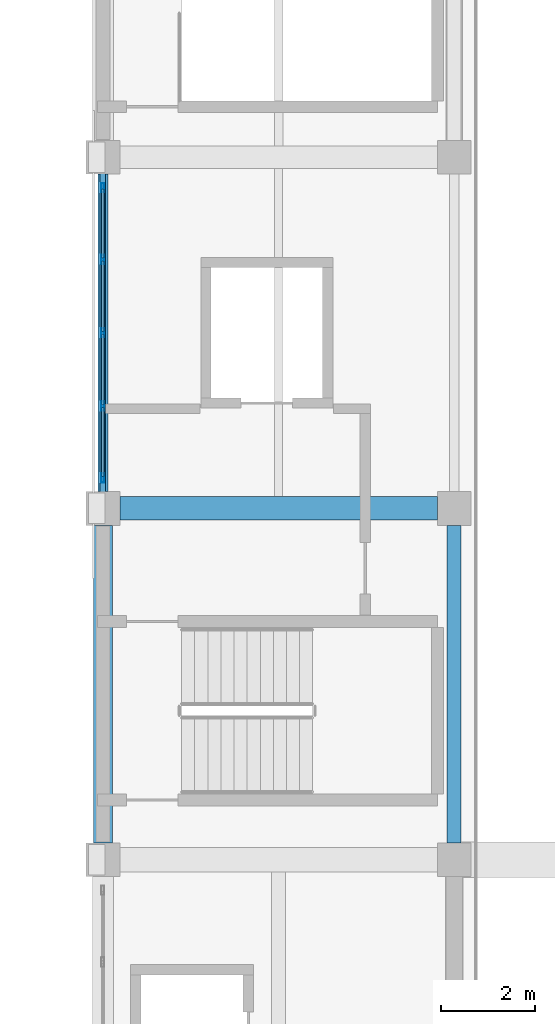
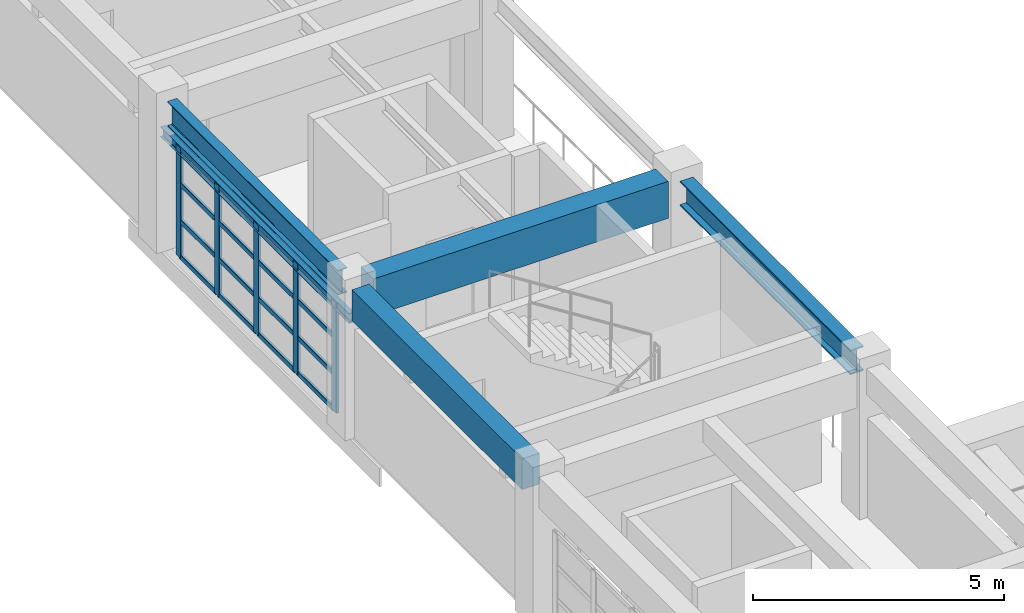
# One storey, part 38 of 101: 21 members, 5 beams, 1 element without a shape of its own.
"""IFC4 building model written with IfcOpenShell, lengths in metres."""

from ifc_helpers import new_model, si_unit, direction, frame, origin, origin_2d, place, context, subcontext, project, spatial, rectangle, hollow_rectangle, i_section, extrude, material, material_profile, profile_set, type_object, element, aggregate, save


model = new_model("IFC4")

# Units and contexts
model_context = context("Model", 3, precision=1e-05, world=origin(), true_north=direction((0.0, 1.0)))
body_context = subcontext(model_context, "Body", "Model", "MODEL_VIEW")
ifc_project = project(units=[si_unit("LENGTHUNIT", "METRE"), si_unit("AREAUNIT", "SQUARE_METRE"), si_unit("VOLUMEUNIT", "CUBIC_METRE"), si_unit("PLANEANGLEUNIT", "RADIAN"), si_unit("MASSUNIT", "GRAM", prefix="KILO")], contexts=[model_context])

# Site, building, storey
site_placement = place(None, origin())
site = spatial("IfcSite", under=ifc_project, at=site_placement, CompositionType="ELEMENT")
building_placement = place(site_placement, origin())
building = spatial("IfcBuilding", under=site, at=building_placement, Name="Qasida Concert Hall", CompositionType="ELEMENT")
storey_placement = place(building_placement, frame((0.0, 0.0, 13.199951171875)))
storey = spatial("IfcBuildingStorey", under=building, at=storey_placement, Name="L03", CompositionType="ELEMENT", Elevation=13.199951171875)

# Beams
ifc_material_1 = material(Name="Steel S355J2", Category="steel")
ifc_material_profile_1 = material_profile(ifc_material_1, i_section(OverallWidth=0.300048828125, OverallDepth=0.60009765625, WebThickness=0.015380859375, FlangeThickness=0.030029296875, FilletRadius=0.027099609375, at=origin_2d()), Name="HEB 600")
ifc_profile_set_1 = profile_set([ifc_material_profile_1], Name="Steel S355J2")
beam_type_1 = type_object("IfcBeamType", Name="BM-B6", PredefinedType="BEAM", material=ifc_profile_set_1)
beam_1_placement = place(storey_placement, frame((60.0, 45.360107421875, 3.320068359375), z_axis=(0.0, 1.0, 0.0), x_axis=(-1.0, 0.0, 0.0)))
element("IfcBeam", 1, at=beam_1_placement, inside=storey, type_object=beam_type_1, Name="L03 girder 1551", PredefinedType="BEAM", context=body_context, shape_type="SweptSolid", body=[
    extrude(i_section(OverallWidth=0.300048828125, OverallDepth=0.60009765625, WebThickness=0.015380859375, FlangeThickness=0.030029296875, FilletRadius=0.027099609375, at=origin_2d()), origin(), (0.0, 0.0, 1.0), 6.77978515625),
])
ifc_material_2 = material(Name="Concrete C40/50", Category="concrete")
ifc_material_profile_2 = material_profile(ifc_material_2, rectangle(XDim=0.5, YDim=0.89990234375, at=origin_2d()), Name="RC 500x900")
ifc_profile_set_2 = profile_set([ifc_material_profile_2], Name="Concrete C40/50")
beam_type_2 = type_object("IfcBeamType", Name="BM-G1", PredefinedType="USERDEFINED", material=ifc_profile_set_2)
beam_2_placement = place(storey_placement, frame((52.860107421875, 52.5, 3.170166015625), z_axis=(1.0, 0.0, 0.0), x_axis=(0.0, 1.0, 0.0)))
element("IfcBeam", 2, at=beam_2_placement, inside=storey, type_object=beam_type_2, Name="Primary girder 1524", ObjectType="GIRDER", PredefinedType="USERDEFINED", context=body_context, shape_type="SweptSolid", body=[
    extrude(rectangle(XDim=0.5, YDim=0.89990234375, at=origin_2d()), origin(), (0.0, 0.0, 1.0), 6.77978515625),
])
ifc_material_profile_3 = material_profile(ifc_material_1, i_section(OverallWidth=0.1201171875, OverallDepth=0.239990234375, WebThickness=0.006103515625, FlangeThickness=0.009765625, FilletRadius=0.014892578125, at=origin_2d()), Name="IPE 240")
ifc_profile_set_3 = profile_set([ifc_material_profile_3], Name="Steel S355J2")
beam_type_3 = type_object("IfcBeamType", Name="BM-LN2", PredefinedType="LINTEL", material=ifc_profile_set_3)
beam_3_placement = place(storey_placement, frame((52.5, 52.5, 2.650146484375), z_axis=(0.0, 1.0, 0.0), x_axis=(-1.0, 0.0, 0.0)))
element("IfcBeam", 3, at=beam_3_placement, inside=storey, type_object=beam_type_3, Name="L03 portal lintel beam 014", PredefinedType="LINTEL", context=body_context, shape_type="SweptSolid", body=[
    extrude(i_section(OverallWidth=0.1201171875, OverallDepth=0.239990234375, WebThickness=0.006103515625, FlangeThickness=0.009765625, FilletRadius=0.014892578125, at=origin_2d()), origin(), (0.0, 0.0, 1.0), 7.5),
])
ifc_material_profile_4 = material_profile(ifc_material_2, rectangle(XDim=0.39990234375, YDim=0.75, at=origin_2d()), Name="RC 400x750")
ifc_profile_set_4 = profile_set([ifc_material_profile_4], Name="Concrete C40/50")
beam_type_4 = type_object("IfcBeamType", Name="BM-SP1", PredefinedType="SPANDREL", material=ifc_profile_set_4)
beam_4_placement = place(storey_placement, frame((52.5, 45.360107421875, 3.2451171875), z_axis=(0.0, 1.0, 0.0), x_axis=(-1.0, 0.0, 0.0)))
element("IfcBeam", 4, at=beam_4_placement, inside=storey, type_object=beam_type_4, Name="L03 girder 1545", PredefinedType="SPANDREL", context=body_context, shape_type="SweptSolid", body=[
    extrude(rectangle(XDim=0.39990234375, YDim=0.75, at=origin_2d()), origin(), (0.0, 0.0, 1.0), 6.77978515625),
])
ifc_material_profile_5 = material_profile(ifc_material_1, i_section(OverallWidth=0.219970703125, OverallDepth=0.60009765625, WebThickness=0.011962890625, FlangeThickness=0.01904296875, FilletRadius=0.02392578125, at=origin_2d()), Name="IPE 600")
ifc_profile_set_5 = profile_set([ifc_material_profile_5], Name="Steel S355J2")
beam_type_5 = type_object("IfcBeamType", Name="BM-SP3", PredefinedType="SPANDREL", material=ifc_profile_set_5)
beam_5_placement = place(storey_placement, frame((52.5, 52.860107421875, 3.320068359375), z_axis=(0.0, 1.0, 0.0), x_axis=(-1.0, 0.0, 0.0)))
element("IfcBeam", 5, at=beam_5_placement, inside=storey, type_object=beam_type_5, Name="L03 girder 1546", PredefinedType="SPANDREL", context=body_context, shape_type="SweptSolid", body=[
    extrude(i_section(OverallWidth=0.219970703125, OverallDepth=0.60009765625, WebThickness=0.011962890625, FlangeThickness=0.01904296875, FilletRadius=0.02392578125, at=origin_2d()), origin(), (0.0, 0.0, 1.0), 6.77978515625),
])

# Curtain wall, members
ifc_material_3 = material(Name="Architectural bronze-anodized aluminium and low-E glass", Category="aluminium")
curtain_wall_type = type_object("IfcCurtainWallType", Name="CW-04", PredefinedType="NOTDEFINED", material=ifc_material_3)
curtain_wall_placement = place(storey_placement, origin())
curtain_wall = element("IfcCurtainWall", 6, at=curtain_wall_placement, inside=storey, type_object=curtain_wall_type, Name="L03 curtain wall CW-04 0054", PredefinedType="NOTDEFINED")
ifc_material_4 = material(Name="Architectural bronze-anodized aluminium EN AW-6063", Category="aluminium")
ifc_material_profile_6 = material_profile(ifc_material_4, hollow_rectangle(XDim=0.06494140625, YDim=0.199951171875, WallThickness=0.0048828125, InnerFilletRadius=0.0048828125, OuterFilletRadius=0.010009765625, at=origin_2d()), Name="CWM 200x65x5")
ifc_profile_set_6 = profile_set([ifc_material_profile_6], Name="Architectural bronze-anodized aluminium EN AW-6063")
member_type_1 = type_object("IfcMemberType", Name="MB-CWM-2", PredefinedType="MULLION", material=ifc_profile_set_6)
member_1_placement = place(storey_placement, frame((52.5, 53.152587890625, 0.0), z_axis=(0.0, 0.0, 1.0), x_axis=(-1.0, 0.0, 0.0)))
member_1 = element("IfcMember", 7, at=member_1_placement, type_object=member_type_1, Name="CW-04 mullion 1", PredefinedType="MULLION", context=body_context, shape_type="SweptSolid", body=[
    extrude(hollow_rectangle(XDim=0.06494140625, YDim=0.199951171875, WallThickness=0.0048828125, InnerFilletRadius=0.0048828125, OuterFilletRadius=0.010009765625, at=origin_2d()), origin(), (0.0, 0.0, 1.0), 2.68994140625),
])
member_2_placement = place(storey_placement, frame((52.5, 54.68505859375, 0.0), z_axis=(0.0, 0.0, 1.0), x_axis=(-1.0, 0.0, 0.0)))
member_2 = element("IfcMember", 8, at=member_2_placement, type_object=member_type_1, Name="CW-04 mullion 2", PredefinedType="MULLION", context=body_context, shape_type="SweptSolid", body=[
    extrude(hollow_rectangle(XDim=0.06494140625, YDim=0.199951171875, WallThickness=0.0048828125, InnerFilletRadius=0.0048828125, OuterFilletRadius=0.010009765625, at=origin_2d()), origin(), (0.0, 0.0, 1.0), 2.68994140625),
])
member_3_placement = place(storey_placement, frame((52.5, 56.25, 0.0), z_axis=(0.0, 0.0, 1.0), x_axis=(-1.0, 0.0, 0.0)))
member_3 = element("IfcMember", 9, at=member_3_placement, type_object=member_type_1, Name="CW-04 mullion 3", PredefinedType="MULLION", context=body_context, shape_type="SweptSolid", body=[
    extrude(hollow_rectangle(XDim=0.06494140625, YDim=0.199951171875, WallThickness=0.0048828125, InnerFilletRadius=0.0048828125, OuterFilletRadius=0.010009765625, at=origin_2d()), origin(), (0.0, 0.0, 1.0), 2.68994140625),
])
member_4_placement = place(storey_placement, frame((52.5, 57.81494140625, 0.0), z_axis=(0.0, 0.0, 1.0), x_axis=(-1.0, 0.0, 0.0)))
member_4 = element("IfcMember", 10, at=member_4_placement, type_object=member_type_1, Name="CW-04 mullion 4", PredefinedType="MULLION", context=body_context, shape_type="SweptSolid", body=[
    extrude(hollow_rectangle(XDim=0.06494140625, YDim=0.199951171875, WallThickness=0.0048828125, InnerFilletRadius=0.0048828125, OuterFilletRadius=0.010009765625, at=origin_2d()), origin(), (0.0, 0.0, 1.0), 2.68994140625),
])
member_5_placement = place(storey_placement, frame((52.5, 59.347412109375, 0.0), z_axis=(0.0, 0.0, 1.0), x_axis=(-1.0, 0.0, 0.0)))
member_5 = element("IfcMember", 11, at=member_5_placement, type_object=member_type_1, Name="CW-04 mullion 5", PredefinedType="MULLION", context=body_context, shape_type="SweptSolid", body=[
    extrude(hollow_rectangle(XDim=0.06494140625, YDim=0.199951171875, WallThickness=0.0048828125, InnerFilletRadius=0.0048828125, OuterFilletRadius=0.010009765625, at=origin_2d()), origin(), (0.0, 0.0, 1.0), 2.68994140625),
])
ifc_material_profile_7 = material_profile(ifc_material_4, hollow_rectangle(XDim=0.06005859375, YDim=0.1201171875, WallThickness=0.00390625, InnerFilletRadius=0.00390625, OuterFilletRadius=0.008056640625, at=origin_2d()), Name="CWT 120x60x4")
ifc_profile_set_7 = profile_set([ifc_material_profile_7], Name="Architectural bronze-anodized aluminium EN AW-6063")
member_type_2 = type_object("IfcMemberType", Name="MB-CWT-2", PredefinedType="USERDEFINED", material=ifc_profile_set_7)
member_6_placement = place(storey_placement, frame((52.5, 53.18505859375, 0.030029296875), z_axis=(0.0, 1.0, 0.0), x_axis=(-1.0, 0.0, 0.0)))
member_6 = element("IfcMember", 12, at=member_6_placement, type_object=member_type_2, Name="CW-04 transom 1.1", ObjectType="TRANSOM", PredefinedType="USERDEFINED", context=body_context, shape_type="SweptSolid", body=[
    extrude(hollow_rectangle(XDim=0.06005859375, YDim=0.1201171875, WallThickness=0.00390625, InnerFilletRadius=0.00390625, OuterFilletRadius=0.008056640625, at=origin_2d()), origin(), (0.0, 0.0, 1.0), 1.467529296875),
])
member_7_placement = place(storey_placement, frame((52.5, 53.18505859375, 0.896728515625), z_axis=(0.0, 1.0, 0.0), x_axis=(-1.0, 0.0, 0.0)))
member_7 = element("IfcMember", 13, at=member_7_placement, type_object=member_type_2, Name="CW-04 transom 1.2", ObjectType="TRANSOM", PredefinedType="USERDEFINED", context=body_context, shape_type="SweptSolid", body=[
    extrude(hollow_rectangle(XDim=0.06005859375, YDim=0.1201171875, WallThickness=0.00390625, InnerFilletRadius=0.00390625, OuterFilletRadius=0.008056640625, at=origin_2d()), origin(), (0.0, 0.0, 1.0), 1.467529296875),
])
member_8_placement = place(storey_placement, frame((52.5, 53.18505859375, 1.79345703125), z_axis=(0.0, 1.0, 0.0), x_axis=(-1.0, 0.0, 0.0)))
member_8 = element("IfcMember", 14, at=member_8_placement, type_object=member_type_2, Name="CW-04 transom 1.3", ObjectType="TRANSOM", PredefinedType="USERDEFINED", context=body_context, shape_type="SweptSolid", body=[
    extrude(hollow_rectangle(XDim=0.06005859375, YDim=0.1201171875, WallThickness=0.00390625, InnerFilletRadius=0.00390625, OuterFilletRadius=0.008056640625, at=origin_2d()), origin(), (0.0, 0.0, 1.0), 1.467529296875),
])
member_9_placement = place(storey_placement, frame((52.5, 53.18505859375, 2.66015625), z_axis=(0.0, 1.0, 0.0), x_axis=(-1.0, 0.0, 0.0)))
member_9 = element("IfcMember", 15, at=member_9_placement, type_object=member_type_2, Name="CW-04 transom 1.4", ObjectType="TRANSOM", PredefinedType="USERDEFINED", context=body_context, shape_type="SweptSolid", body=[
    extrude(hollow_rectangle(XDim=0.06005859375, YDim=0.1201171875, WallThickness=0.00390625, InnerFilletRadius=0.00390625, OuterFilletRadius=0.008056640625, at=origin_2d()), origin(), (0.0, 0.0, 1.0), 1.467529296875),
])
member_10_placement = place(storey_placement, frame((52.5, 54.717529296875, 0.030029296875), z_axis=(0.0, 1.0, 0.0), x_axis=(-1.0, 0.0, 0.0)))
member_10 = element("IfcMember", 16, at=member_10_placement, type_object=member_type_2, Name="CW-04 transom 2.1", ObjectType="TRANSOM", PredefinedType="USERDEFINED", context=body_context, shape_type="SweptSolid", body=[
    extrude(hollow_rectangle(XDim=0.06005859375, YDim=0.1201171875, WallThickness=0.00390625, InnerFilletRadius=0.00390625, OuterFilletRadius=0.008056640625, at=origin_2d()), origin(), (0.0, 0.0, 1.0), 1.5),
])
member_11_placement = place(storey_placement, frame((52.5, 54.717529296875, 0.896728515625), z_axis=(0.0, 1.0, 0.0), x_axis=(-1.0, 0.0, 0.0)))
member_11 = element("IfcMember", 17, at=member_11_placement, type_object=member_type_2, Name="CW-04 transom 2.2", ObjectType="TRANSOM", PredefinedType="USERDEFINED", context=body_context, shape_type="SweptSolid", body=[
    extrude(hollow_rectangle(XDim=0.06005859375, YDim=0.1201171875, WallThickness=0.00390625, InnerFilletRadius=0.00390625, OuterFilletRadius=0.008056640625, at=origin_2d()), origin(), (0.0, 0.0, 1.0), 1.5),
])
member_12_placement = place(storey_placement, frame((52.5, 54.717529296875, 1.79345703125), z_axis=(0.0, 1.0, 0.0), x_axis=(-1.0, 0.0, 0.0)))
member_12 = element("IfcMember", 18, at=member_12_placement, type_object=member_type_2, Name="CW-04 transom 2.3", ObjectType="TRANSOM", PredefinedType="USERDEFINED", context=body_context, shape_type="SweptSolid", body=[
    extrude(hollow_rectangle(XDim=0.06005859375, YDim=0.1201171875, WallThickness=0.00390625, InnerFilletRadius=0.00390625, OuterFilletRadius=0.008056640625, at=origin_2d()), origin(), (0.0, 0.0, 1.0), 1.5),
])
member_13_placement = place(storey_placement, frame((52.5, 54.717529296875, 2.66015625), z_axis=(0.0, 1.0, 0.0), x_axis=(-1.0, 0.0, 0.0)))
member_13 = element("IfcMember", 19, at=member_13_placement, type_object=member_type_2, Name="CW-04 transom 2.4", ObjectType="TRANSOM", PredefinedType="USERDEFINED", context=body_context, shape_type="SweptSolid", body=[
    extrude(hollow_rectangle(XDim=0.06005859375, YDim=0.1201171875, WallThickness=0.00390625, InnerFilletRadius=0.00390625, OuterFilletRadius=0.008056640625, at=origin_2d()), origin(), (0.0, 0.0, 1.0), 1.5),
])
member_14_placement = place(storey_placement, frame((52.5, 56.282470703125, 0.030029296875), z_axis=(0.0, 1.0, 0.0), x_axis=(-1.0, 0.0, 0.0)))
member_14 = element("IfcMember", 20, at=member_14_placement, type_object=member_type_2, Name="CW-04 transom 3.1", ObjectType="TRANSOM", PredefinedType="USERDEFINED", context=body_context, shape_type="SweptSolid", body=[
    extrude(hollow_rectangle(XDim=0.06005859375, YDim=0.1201171875, WallThickness=0.00390625, InnerFilletRadius=0.00390625, OuterFilletRadius=0.008056640625, at=origin_2d()), origin(), (0.0, 0.0, 1.0), 1.5),
])
member_15_placement = place(storey_placement, frame((52.5, 56.282470703125, 0.896728515625), z_axis=(0.0, 1.0, 0.0), x_axis=(-1.0, 0.0, 0.0)))
member_15 = element("IfcMember", 21, at=member_15_placement, type_object=member_type_2, Name="CW-04 transom 3.2", ObjectType="TRANSOM", PredefinedType="USERDEFINED", context=body_context, shape_type="SweptSolid", body=[
    extrude(hollow_rectangle(XDim=0.06005859375, YDim=0.1201171875, WallThickness=0.00390625, InnerFilletRadius=0.00390625, OuterFilletRadius=0.008056640625, at=origin_2d()), origin(), (0.0, 0.0, 1.0), 1.5),
])
member_16_placement = place(storey_placement, frame((52.5, 56.282470703125, 1.79345703125), z_axis=(0.0, 1.0, 0.0), x_axis=(-1.0, 0.0, 0.0)))
member_16 = element("IfcMember", 22, at=member_16_placement, type_object=member_type_2, Name="CW-04 transom 3.3", ObjectType="TRANSOM", PredefinedType="USERDEFINED", context=body_context, shape_type="SweptSolid", body=[
    extrude(hollow_rectangle(XDim=0.06005859375, YDim=0.1201171875, WallThickness=0.00390625, InnerFilletRadius=0.00390625, OuterFilletRadius=0.008056640625, at=origin_2d()), origin(), (0.0, 0.0, 1.0), 1.5),
])
member_17_placement = place(storey_placement, frame((52.5, 56.282470703125, 2.66015625), z_axis=(0.0, 1.0, 0.0), x_axis=(-1.0, 0.0, 0.0)))
member_17 = element("IfcMember", 23, at=member_17_placement, type_object=member_type_2, Name="CW-04 transom 3.4", ObjectType="TRANSOM", PredefinedType="USERDEFINED", context=body_context, shape_type="SweptSolid", body=[
    extrude(hollow_rectangle(XDim=0.06005859375, YDim=0.1201171875, WallThickness=0.00390625, InnerFilletRadius=0.00390625, OuterFilletRadius=0.008056640625, at=origin_2d()), origin(), (0.0, 0.0, 1.0), 1.5),
])
member_18_placement = place(storey_placement, frame((52.5, 57.847412109375, 0.030029296875), z_axis=(0.0, 1.0, 0.0), x_axis=(-1.0, 0.0, 0.0)))
member_18 = element("IfcMember", 24, at=member_18_placement, type_object=member_type_2, Name="CW-04 transom 4.1", ObjectType="TRANSOM", PredefinedType="USERDEFINED", context=body_context, shape_type="SweptSolid", body=[
    extrude(hollow_rectangle(XDim=0.06005859375, YDim=0.1201171875, WallThickness=0.00390625, InnerFilletRadius=0.00390625, OuterFilletRadius=0.008056640625, at=origin_2d()), origin(), (0.0, 0.0, 1.0), 1.467529296875),
])
member_19_placement = place(storey_placement, frame((52.5, 57.847412109375, 0.896728515625), z_axis=(0.0, 1.0, 0.0), x_axis=(-1.0, 0.0, 0.0)))
member_19 = element("IfcMember", 25, at=member_19_placement, type_object=member_type_2, Name="CW-04 transom 4.2", ObjectType="TRANSOM", PredefinedType="USERDEFINED", context=body_context, shape_type="SweptSolid", body=[
    extrude(hollow_rectangle(XDim=0.06005859375, YDim=0.1201171875, WallThickness=0.00390625, InnerFilletRadius=0.00390625, OuterFilletRadius=0.008056640625, at=origin_2d()), origin(), (0.0, 0.0, 1.0), 1.467529296875),
])
member_20_placement = place(storey_placement, frame((52.5, 57.847412109375, 1.79345703125), z_axis=(0.0, 1.0, 0.0), x_axis=(-1.0, 0.0, 0.0)))
member_20 = element("IfcMember", 26, at=member_20_placement, type_object=member_type_2, Name="CW-04 transom 4.3", ObjectType="TRANSOM", PredefinedType="USERDEFINED", context=body_context, shape_type="SweptSolid", body=[
    extrude(hollow_rectangle(XDim=0.06005859375, YDim=0.1201171875, WallThickness=0.00390625, InnerFilletRadius=0.00390625, OuterFilletRadius=0.008056640625, at=origin_2d()), origin(), (0.0, 0.0, 1.0), 1.467529296875),
])
member_21_placement = place(storey_placement, frame((52.5, 57.847412109375, 2.66015625), z_axis=(0.0, 1.0, 0.0), x_axis=(-1.0, 0.0, 0.0)))
member_21 = element("IfcMember", 27, at=member_21_placement, type_object=member_type_2, Name="CW-04 transom 4.4", ObjectType="TRANSOM", PredefinedType="USERDEFINED", context=body_context, shape_type="SweptSolid", body=[
    extrude(hollow_rectangle(XDim=0.06005859375, YDim=0.1201171875, WallThickness=0.00390625, InnerFilletRadius=0.00390625, OuterFilletRadius=0.008056640625, at=origin_2d()), origin(), (0.0, 0.0, 1.0), 1.467529296875),
])
aggregate(curtain_wall, [member_1, member_2, member_3, member_4, member_5, member_6, member_7, member_8, member_9, member_10, member_11, member_12, member_13, member_14, member_15, member_16, member_17, member_18, member_19, member_20, member_21])

save(model, "model.ifc")
